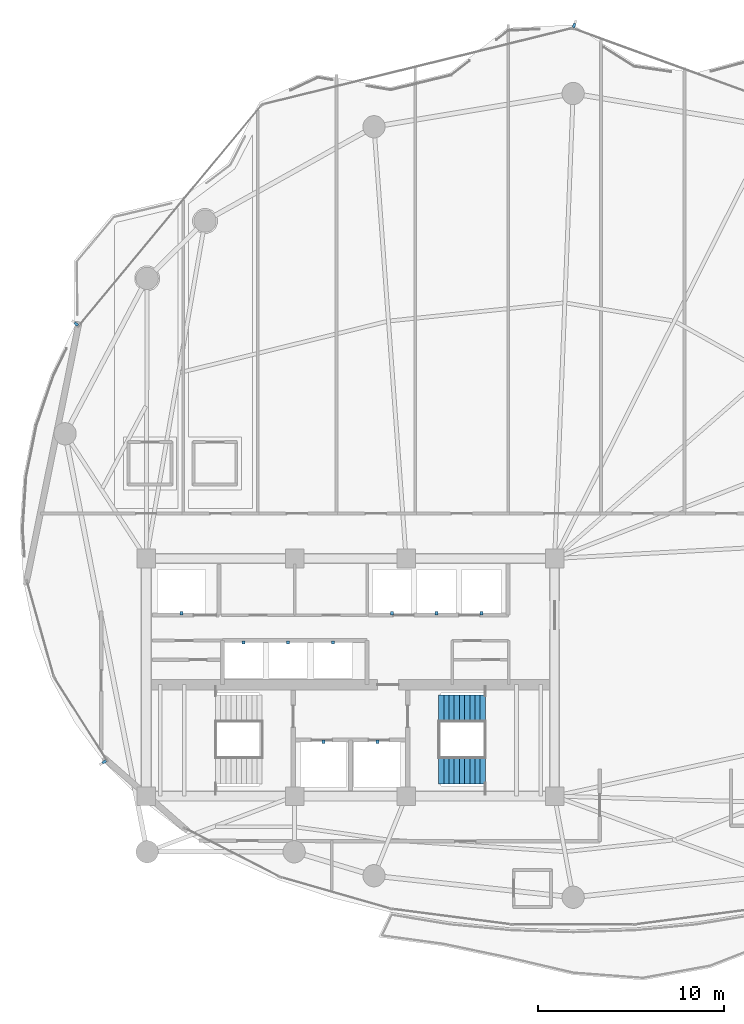
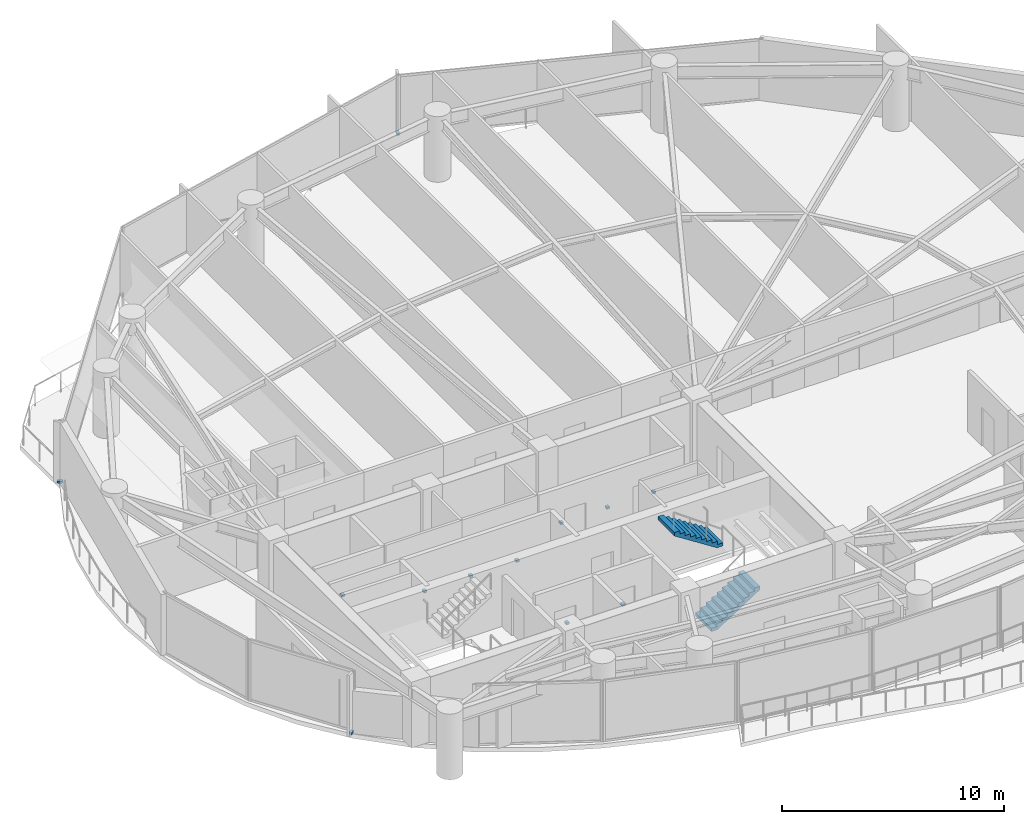
# One storey, part 25 of 28: 12 discrete accessories, 2 stair flights, 1 element without a shape of its own.
"""IFC4 building model written with IfcOpenShell, lengths in metres."""

from ifc_helpers import new_model, si_unit, direction, frame, origin, origin_2d, place, context, subcontext, project, spatial, polyline, rectangle, outline, extrude, material, layer, layer_set, type_object, element, aggregate, save


model = new_model("IFC4")

# Units and contexts
model_context = context("Model", 3, precision=1e-05, world=origin(), true_north=direction((0.0, 1.0)))
body_context = subcontext(model_context, "Body", "Model", "MODEL_VIEW")
ifc_project = project(units=[si_unit("LENGTHUNIT", "METRE"), si_unit("AREAUNIT", "SQUARE_METRE"), si_unit("VOLUMEUNIT", "CUBIC_METRE"), si_unit("PLANEANGLEUNIT", "RADIAN"), si_unit("MASSUNIT", "GRAM", prefix="KILO")], contexts=[model_context])

# Site, building, storey
site_placement = place(None, origin())
site = spatial("IfcSite", under=ifc_project, at=site_placement, CompositionType="ELEMENT")
building_placement = place(site_placement, origin())
building = spatial("IfcBuilding", under=site, at=building_placement, Name="Kazevale Care Tower and Concert Hall", CompositionType="ELEMENT")
storey_placement = place(building_placement, frame((0.0, 0.0, 109.800048828125)))
storey = spatial("IfcBuildingStorey", under=building, at=storey_placement, Name="L28", CompositionType="ELEMENT", Elevation=109.800048828125)

# Stair, stair flights
ifc_material_1 = material(Name="Concrete C40", Category="concrete")
stair_type = type_object("IfcStairType", Name="Exit Stair Assembly ST1-Z2", PredefinedType="HALF_TURN_STAIR", material=ifc_material_1)
stair_placement = place(storey_placement, origin())
stair = element("IfcStair", 1, at=stair_placement, inside=storey, type_object=stair_type, Name="stair:L28:ST2", PredefinedType="HALF_TURN_STAIR")
ifc_layer = layer(ifc_material_1, 0.159912109375)
ifc_layer_set = layer_set([ifc_layer], Name="Concrete C40")
stair_flight_type = type_object("IfcStairFlightType", Name="Exit Stair Flight ST1-Z2", PredefinedType="STRAIGHT", material=ifc_layer_set)
stair_flight_1_placement = place(storey_placement, frame((37.75, 24.97998046875, 0.0), z_axis=(0.0, 0.0, 1.0), x_axis=(1.0, 0.0, 0.0)))
stair_flight_1 = element("IfcStairFlight", 2, at=stair_flight_1_placement, type_object=stair_flight_type, Name="ST1-Z2 flight 1", NumberOfRisers=10, NumberOfTreads=9, PredefinedType="STRAIGHT", RiserHeight=0.18, TreadLength=0.28, context=body_context, shape_type="SweptSolid", body=[
    extrude(outline(polyline([(0.0, 0.0), (0.0, 0.179931640625), (0.280029296875, 0.179931640625), (0.280029296875, 0.360107421875), (0.56005859375, 0.360107421875), (0.56005859375, 0.5400390625), (0.840087890625, 0.5400390625), (0.840087890625, 0.719970703125), (1.1201171875, 0.719970703125), (1.1201171875, 0.89990234375), (1.39990234375, 0.89990234375), (1.39990234375, 1.080078125), (1.679931640625, 1.080078125), (1.679931640625, 1.260009765625), (1.9599609375, 1.260009765625), (1.9599609375, 1.43994140625), (2.239990234375, 1.43994140625), (2.239990234375, 1.6201171875), (2.52001953125, 1.6201171875), (2.52001953125, 1.800048828125), (2.52001953125, 1.429931640625), (0.295654296875, 0.0), (0.0, 0.0)])), frame((0.0, 0.72998046875, 0.0), z_axis=(0.0, -1.0, 0.0), x_axis=(1.0, 0.0, 0.0)), (0.0, 0.0, 1.0), 1.4599609375),
])
stair_flight_2_placement = place(storey_placement, frame((40.27001953125, 28.320068359375, 1.800048828125), z_axis=(0.0, 0.0, 1.0), x_axis=(-1.0, 0.0, 0.0)))
stair_flight_2 = element("IfcStairFlight", 3, at=stair_flight_2_placement, type_object=stair_flight_type, Name="ST1-Z2 flight 2", NumberOfRisers=10, NumberOfTreads=9, PredefinedType="STRAIGHT", RiserHeight=0.18, TreadLength=0.28, context=body_context, shape_type="SweptSolid", body=[
    extrude(outline(polyline([(0.0, 0.0), (0.0, 0.179931640625), (0.280029296875, 0.179931640625), (0.280029296875, 0.360107421875), (0.56005859375, 0.360107421875), (0.56005859375, 0.5400390625), (0.840087890625, 0.5400390625), (0.840087890625, 0.719970703125), (1.1201171875, 0.719970703125), (1.1201171875, 0.89990234375), (1.39990234375, 0.89990234375), (1.39990234375, 1.080078125), (1.679931640625, 1.080078125), (1.679931640625, 1.260009765625), (1.9599609375, 1.260009765625), (1.9599609375, 1.43994140625), (2.239990234375, 1.43994140625), (2.239990234375, 1.6201171875), (2.52001953125, 1.6201171875), (2.52001953125, 1.800048828125), (2.52001953125, 1.429931640625), (0.295654296875, 0.0), (0.0, 0.0)])), frame((0.0, 0.72998046875, 0.0), z_axis=(0.0, -1.0, 0.0), x_axis=(1.0, 0.0, 0.0)), (0.0, 0.0, 1.0), 1.4599609375),
])
aggregate(stair, [stair_flight_1, stair_flight_2])

# Discrete accessories
ifc_material_2 = material(Name="Stainless Steel 316", Category="steel")
discrete_accessory_type_1 = type_object("IfcDiscreteAccessoryType", Name="Facade Fin Stainless Anchor Bracket BRK-1", PredefinedType="BRACKET", material=ifc_material_2)
for number, where, z_axis, x_axis, name in (
    (4, (19.739013671875, 25.4443359375, 0.0), (0.0, 0.0, 1.0), (-0.843391445813, -0.537299608347, 0.0), "cw:L28:f11:brk"),
    (5, (18.2265625, 49.0322265625, 0.0), (0.0, 0.0, 1.0), (-0.770068049148, 0.637961754089, 0.0), "cw:L28:f14:brk"),
    (6, (45.0478515625, 65.113037109375, 0.0), (0.0, 0.0, 1.0), (0.343167938899, 0.939274063153, 0.0), "cw:L28:f16:brk"),
):
    element("IfcDiscreteAccessory", number, at=place(storey_placement, frame(where, z_axis=z_axis, x_axis=x_axis)), inside=storey, type_object=discrete_accessory_type_1, Name=name, PredefinedType="BRACKET", context=body_context, shape_type="SweptSolid", body=[
        extrude(rectangle(XDim=0.239990234375, YDim=0.139892578125, at=origin_2d()), origin(), (0.0, 0.0, 1.0), 0.1201171875),
    ])
discrete_accessory_type_2 = type_object("IfcDiscreteAccessoryType", Name="Hoistway Guide-Rail Wall Bracket HBRK-1", PredefinedType="BRACKET", material=ifc_material_2)
for number, where, z_axis, x_axis, name in (
    (7, (31.550048828125, 26.52001953125, 1.239990234375), (0.0, 0.0, 1.0), (1.0, 0.0, 0.0), "hbrk:FFL-1:L28"),
    (8, (34.449951171875, 26.52001953125, 1.239990234375), (0.0, 0.0, 1.0), (1.0, 0.0, 0.0), "hbrk:FFL-2:L28"),
    (9, (23.89990234375, 33.449951171875, 1.239990234375), (0.0, 0.0, 1.0), (1.0, 0.0, 0.0), "hbrk:SVL-1:L28"),
    (10, (35.25, 33.449951171875, 1.239990234375), (0.0, 0.0, 1.0), (1.0, 0.0, 0.0), "hbrk:PM-1:L28"),
    (11, (37.64990234375, 33.449951171875, 1.239990234375), (0.0, 0.0, 1.0), (1.0, 0.0, 0.0), "hbrk:PM-2:L28"),
    (12, (40.050048828125, 33.449951171875, 1.239990234375), (0.0, 0.0, 1.0), (1.0, 0.0, 0.0), "hbrk:PM-3:L28"),
    (13, (27.25, 31.8798828125, 1.239990234375), (0.0, 0.0, 1.0), (1.0, 0.0, 0.0), "hbrk:PH-1:L28"),
    (14, (29.64990234375, 31.8798828125, 1.239990234375), (0.0, 0.0, 1.0), (1.0, 0.0, 0.0), "hbrk:PH-2:L28"),
    (15, (32.050048828125, 31.8798828125, 1.239990234375), (0.0, 0.0, 1.0), (1.0, 0.0, 0.0), "hbrk:PH-3:L28"),
):
    element("IfcDiscreteAccessory", number, at=place(storey_placement, frame(where, z_axis=z_axis, x_axis=x_axis)), inside=storey, type_object=discrete_accessory_type_2, Name=name, PredefinedType="BRACKET", context=body_context, shape_type="SweptSolid", body=[
        extrude(rectangle(XDim=0.159912109375, YDim=0.179931640625, at=origin_2d()), origin(), (0.0, 0.0, 1.0), 0.1201171875),
    ])

save(model, "model.ifc")
